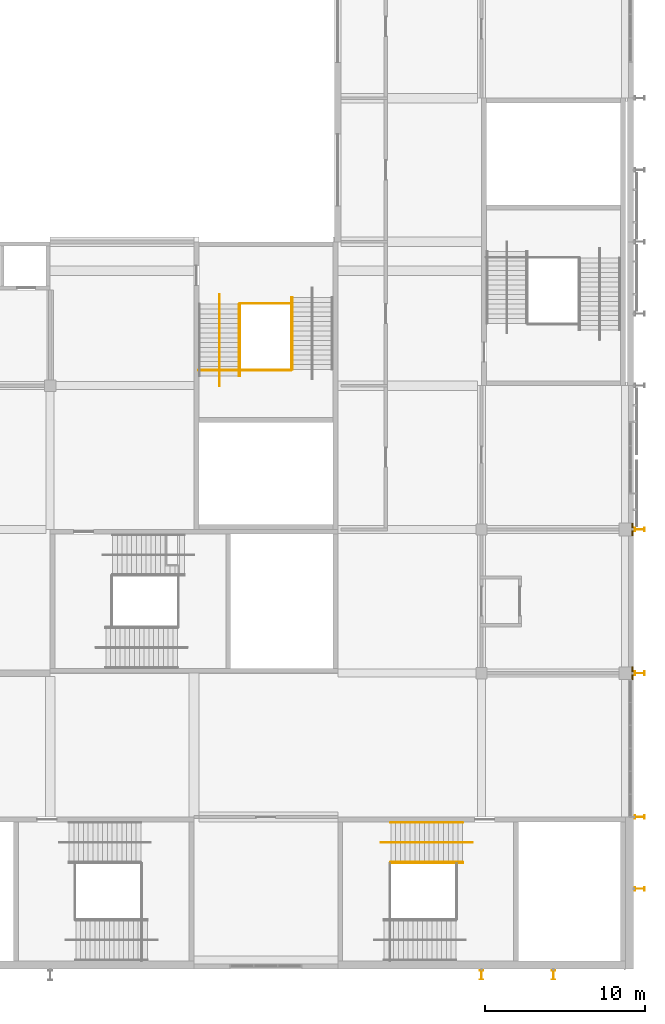
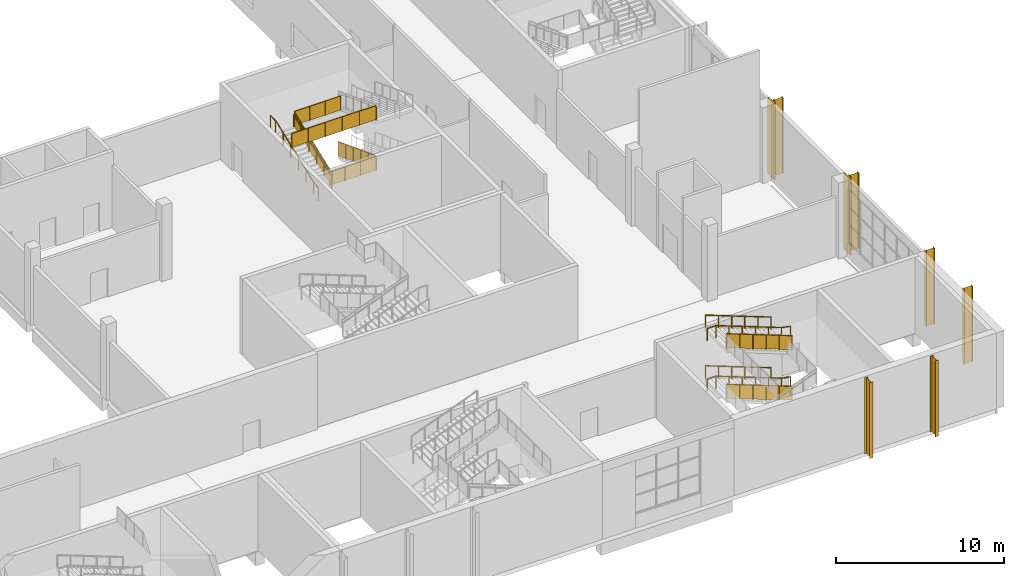
# One storey, part 79 of 84: 16 railings, 6 shading devices, 2 coverings.
"""IFC4 building model written with IfcOpenShell, lengths in metres."""

import ifcopenshell
import ifcopenshell.guid

model = None  # the IFC model being written
_history = None  # IfcOwnerHistory: only IFC2X3 demands one
_inside = {}  # id of a spatial element -> (the spatial element, [elements in it])
_under = {}  # id of a project, library or spatial element -> (it, [spatial elements below it])
_declared = {}  # id of a project -> (the project, [libraries it declares])
_typed = {}  # id of a type object -> (the type object, [elements of that type])
_made_of = {}  # id of a material, layer set ... -> (it, [elements and type objects made of it])


def new_model(schema):
    """Start an empty IFC model of exactly this schema.

    Asked for "IFC4X3", IfcOpenShell would pick the latest addendum, in which some entities
    have other attributes; the version numbers below select the first issue.
    IFC2X3 requires an IfcOwnerHistory on every rooted entity: one is made here for all.
    """
    global model, _history
    if schema == "IFC4X3":
        model = ifcopenshell.file(schema_version=(4, 3, 0, 0))
    else:
        model = ifcopenshell.file(schema=schema)
    _inside.clear()
    _under.clear()
    _declared.clear()
    _typed.clear()
    _made_of.clear()
    _history = None
    if model.schema == "IFC2X3":
        org = make("IfcOrganization", Name="unknown")
        user = make(
            "IfcPersonAndOrganization",
            ThePerson=make("IfcPerson", FamilyName="unknown"),
            TheOrganization=org,
        )
        app = make(
            "IfcApplication",
            ApplicationDeveloper=org,
            Version="unknown",
            ApplicationFullName="unknown",
            ApplicationIdentifier="unknown",
        )
        _history = make(
            "IfcOwnerHistory",
            OwningUser=user,
            OwningApplication=app,
            ChangeAction="ADDED",
            CreationDate=0,
        )
    return model


def make(cls, **values):
    """One entity of the class cls with the attributes given. An attribute that is None is left unset."""
    return model.create_entity(
        cls, **{name: value for name, value in values.items() if value is not None}
    )


def rooted(cls, **values):
    """An entity with a GlobalId (a new one), such as an element, a storey or a relation."""
    return make(cls, GlobalId=ifcopenshell.guid.new(), OwnerHistory=_history, **values)


def si_unit(unit_type, name, prefix=None):
    """IfcSIUnit, for example si_unit("LENGTHUNIT", "METRE", prefix="MILLI")."""
    return make("IfcSIUnit", UnitType=unit_type, Prefix=prefix, Name=name)


def assignment(units):
    """IfcUnitAssignment: the units of a project."""
    return None if units is None else make("IfcUnitAssignment", Units=units)


def point(xyz):
    """IfcCartesianPoint."""
    return None if xyz is None else make("IfcCartesianPoint", Coordinates=xyz)


def direction(xyz):
    """IfcDirection."""
    return None if xyz is None else make("IfcDirection", DirectionRatios=xyz)


def frame(location, z_axis=None, x_axis=None):
    """IfcAxis2Placement3D, a coordinate frame: its origin and axes. An axis left out is left unset."""
    return make(
        "IfcAxis2Placement3D",
        Location=point(location),
        Axis=direction(z_axis),
        RefDirection=direction(x_axis),
    )


def frame_2d(location, x_axis=None):
    """IfcAxis2Placement2D, a coordinate frame in the plane: its origin and x axis."""
    return make(
        "IfcAxis2Placement2D", Location=point(location), RefDirection=direction(x_axis)
    )


def origin():
    """The frame at (0, 0, 0) with its axes left unset."""
    return frame((0.0, 0.0, 0.0))


def origin_2d():
    """The frame at (0, 0) in the plane with its x axis left unset."""
    return frame_2d((0.0, 0.0))


def place(relative_to, where):
    """IfcLocalPlacement: puts the frame where relative to a parent placement (None: the world)."""
    return make(
        "IfcLocalPlacement", PlacementRelTo=relative_to, RelativePlacement=where
    )


def context(
    kind, dimensions, precision=None, world=None, true_north=None, identifier=None
):
    """IfcGeometricRepresentationContext, for example the 3D "Model" context."""
    return make(
        "IfcGeometricRepresentationContext",
        ContextIdentifier=identifier,
        ContextType=kind,
        CoordinateSpaceDimension=dimensions,
        Precision=precision,
        WorldCoordinateSystem=world,
        TrueNorth=true_north,
    )


def subcontext(parent, identifier, kind, view, scale=None):
    """IfcGeometricRepresentationSubContext, for example "Body" below "Model"."""
    return make(
        "IfcGeometricRepresentationSubContext",
        ContextIdentifier=identifier,
        ContextType=kind,
        ParentContext=parent,
        TargetScale=scale,
        TargetView=view,
    )


def project(units=None, contexts=None):
    """IfcProject with its units and contexts."""
    return rooted(
        "IfcProject",
        Name="project",
        RepresentationContexts=contexts,
        UnitsInContext=assignment(units),
    )


def spatial(cls, under=None, at=None, **own):
    """A site, building, storey or space (cls), placed at a placement, below another one or the project."""
    s = rooted(cls, ObjectPlacement=at, **own)
    if under is not None:
        _under.setdefault(under.id(), (under, []))[1].append(s)
    return s


def polyline(points):
    """IfcPolyline through the points."""
    return make("IfcPolyline", Points=[point(p) for p in points])


def profile(cls, at=None, kind="AREA", **sizes):
    """A parametric profile (cls). Its sizes go by their IFC names, for example OverallWidth=200.0."""
    return make(cls, ProfileType=kind, Position=at, **sizes)


def circle(**sizes):
    """IfcCircleProfileDef."""
    return profile("IfcCircleProfileDef", **sizes)


def i_section(**sizes):
    """IfcIShapeProfileDef."""
    return profile("IfcIShapeProfileDef", **sizes)


def outline(outer, holes=None, kind="AREA"):
    """IfcArbitraryClosedProfileDef: a profile drawn as a closed curve; with holes, ...WithVoids."""
    if holes is None:
        return make("IfcArbitraryClosedProfileDef", ProfileType=kind, OuterCurve=outer)
    return make(
        "IfcArbitraryProfileDefWithVoids",
        ProfileType=kind,
        OuterCurve=outer,
        InnerCurves=holes,
    )


def extrude(swept, where, along, depth):
    """IfcExtrudedAreaSolid: the profile swept, set in the frame where, extruded along a direction by depth."""
    return make(
        "IfcExtrudedAreaSolid",
        SweptArea=swept,
        Position=where,
        ExtrudedDirection=direction(along),
        Depth=depth,
    )


def shape(context_of_items, identifier, shape_type, items):
    """IfcShapeRepresentation: the items that make up one representation, for example the "Body"."""
    return make(
        "IfcShapeRepresentation",
        ContextOfItems=context_of_items,
        RepresentationIdentifier=identifier,
        RepresentationType=shape_type,
        Items=items,
    )


def material(Name=None, Category=None):
    """IfcMaterial."""
    return make("IfcMaterial", Name=Name, Category=Category)


def layer(
    of_material, thickness, ventilated=None, Name=None, Category=None, Priority=None
):
    """IfcMaterialLayer: one layer of a wall or slab, of a material (None: an air gap)."""
    return make(
        "IfcMaterialLayer",
        Material=of_material,
        LayerThickness=thickness,
        IsVentilated=ventilated,
        Name=Name,
        Category=Category,
        Priority=Priority,
    )


def layer_set(layers, Name=None):
    """IfcMaterialLayerSet."""
    return make("IfcMaterialLayerSet", MaterialLayers=layers, LayerSetName=Name)


def material_profile(
    of_material, cross_section, Name=None, Category=None, Priority=None
):
    """IfcMaterialProfile: a cross section and its material."""
    return make(
        "IfcMaterialProfile",
        Name=Name,
        Material=of_material,
        Profile=cross_section,
        Priority=Priority,
        Category=Category,
    )


def profile_set(profiles, Name=None, composite=None):
    """IfcMaterialProfileSet."""
    return make(
        "IfcMaterialProfileSet",
        Name=Name,
        MaterialProfiles=profiles,
        CompositeProfile=composite,
    )


def made_of(thing, what):
    """Note that an element or type object is made of a material, layer set ...; save() writes the relation."""
    if what is not None:
        _made_of.setdefault(what.id(), (what, []))[1].append(thing)
    return thing


def type_object(cls, material=None, **own):
    """A type object (cls), such as IfcWallType, which elements share."""
    return made_of(rooted(cls, **own), material)


def element(
    cls,
    number,
    at=None,
    inside=None,
    cuts=None,
    type_object=None,
    material=None,
    context=None,
    identifier="Body",
    shape_type=None,
    held_by="IfcProductDefinitionShape",
    body=None,
    shapes=None,
    **own,
):
    """One element of the class cls, such as IfcWall. Its Tag is "e" and its number.

    at: its placement. inside: the storey or other place that contains it. cuts: it is an
    opening in that element (IfcRelVoidsElement). A single representation is given by context,
    identifier, shape_type and body (its items); several are given by shapes. held_by: the class
    of the entity that holds the representations. save() writes the other relations.
    """
    e = rooted(cls, Tag="e%d" % number, ObjectPlacement=at, **own)
    if body is not None:
        shapes = [shape(context, identifier, shape_type, body)]
    if shapes is not None:
        e.Representation = make(held_by, Representations=shapes)
    if inside is not None:
        _inside.setdefault(inside.id(), (inside, []))[1].append(e)
    if cuts is not None:
        rooted(
            "IfcRelVoidsElement", RelatingBuildingElement=cuts, RelatedOpeningElement=e
        )
    if type_object is not None:
        _typed.setdefault(type_object.id(), (type_object, []))[1].append(e)
    return made_of(e, material)


def aggregate(whole, parts):
    """IfcRelAggregates: a whole, such as a stair, and the parts it consists of."""
    return rooted("IfcRelAggregates", RelatingObject=whole, RelatedObjects=parts)


def save(model, path):
    """Write the relations noted so far, then the file.

    IfcRelAggregates (storeys below a building ...), IfcRelContainedInSpatialStructure (elements
    in a storey), IfcRelDefinesByType, IfcRelAssociatesMaterial and IfcRelDeclares: one each for
    every whole, place, type object, material and project.
    """
    for whole, parts in _under.values():
        aggregate(whole, parts)
    for where, things in _inside.values():
        rooted(
            "IfcRelContainedInSpatialStructure",
            RelatedElements=things,
            RelatingStructure=where,
        )
    for kind, things in _typed.values():
        rooted("IfcRelDefinesByType", RelatedObjects=things, RelatingType=kind)
    for what, things in _made_of.values():
        rooted("IfcRelAssociatesMaterial", RelatedObjects=things, RelatingMaterial=what)
    for by, libraries in _declared.values():
        rooted("IfcRelDeclares", RelatingContext=by, RelatedDefinitions=libraries)
    model.write(path)


model = new_model("IFC4")

# Units and contexts
model_context = context("Model", 3, precision=1e-05, world=origin(), true_north=direction((0.0, 1.0)))
body_context = subcontext(model_context, "Body", "Model", "MODEL_VIEW")
ifc_project = project(units=[si_unit("LENGTHUNIT", "METRE"), si_unit("AREAUNIT", "SQUARE_METRE"), si_unit("VOLUMEUNIT", "CUBIC_METRE"), si_unit("PLANEANGLEUNIT", "RADIAN"), si_unit("MASSUNIT", "GRAM", prefix="KILO")], contexts=[model_context])

# Site, building, storey
site_placement = place(None, origin())
site = spatial("IfcSite", under=ifc_project, at=site_placement, CompositionType="ELEMENT")
building_placement = place(site_placement, origin())
building = spatial("IfcBuilding", under=site, at=building_placement, Name="Silverbay Arena", CompositionType="ELEMENT")
storey_placement = place(building_placement, frame((0.0, 0.0, 28.0)))
storey = spatial("IfcBuildingStorey", under=building, at=storey_placement, Name="L04", CompositionType="ELEMENT", Elevation=28.0)

# Coverings
ifc_material_1 = material(Name="Aluminium composite cladding", Category="aluminium")
ifc_layer = layer(ifc_material_1, 0.10009765625)
ifc_layer_set = layer_set([ifc_layer], Name="Aluminium composite cladding")
covering_type = type_object("IfcCoveringType", Name="Column cladding 100", PredefinedType="CLADDING", material=ifc_layer_set)
covering_1_placement = place(storey_placement, origin())
element("IfcCovering", 1, at=covering_1_placement, inside=storey, type_object=covering_type, Name="East column cladding L04 6", PredefinedType="CLADDING", context=body_context, shape_type="SweptSolid", body=[
    extrude(outline(polyline([(207.39990234375, 35.60009765625), (207.5, 35.60009765625), (207.5, 36.39990234375), (207.39990234375, 36.39990234375), (207.39990234375, 35.60009765625)])), origin(), (0.0, 0.0, 1.0), 5.5),
])
covering_2_placement = place(storey_placement, origin())
element("IfcCovering", 2, at=covering_2_placement, inside=storey, type_object=covering_type, Name="East column cladding L04 8", PredefinedType="CLADDING", context=body_context, shape_type="SweptSolid", body=[
    extrude(outline(polyline([(207.39990234375, 44.60009765625), (207.5, 44.60009765625), (207.5, 45.39990234375), (207.39990234375, 45.39990234375), (207.39990234375, 44.60009765625)])), origin(), (0.0, 0.0, 1.0), 5.5),
])

# Railings
ifc_material_2 = material(Name="Stainless steel", Category="steel")
railing_type_1 = type_object("IfcRailingType", Name="Stair guard 1100", PredefinedType="GUARDRAIL", material=ifc_material_2)
railing_1_placement = place(storey_placement, frame((196.8203125, 24.125, 0.114501953125)))
element("IfcRailing", 3, at=railing_1_placement, inside=storey, type_object=railing_type_1, Name="Stair ST-S6 L04 to L05 flight 1 guard right", PredefinedType="GUARDRAIL", context=body_context, shape_type="SweptSolid", body=[
    extrude(circle(Radius=0.02392578125, at=origin_2d()), frame((0.0, 0.0, 1.076171875), z_axis=(-0.93417907455, 0.0, 0.356804507641), x_axis=(0.0, -1.0, 0.0)), (0.0, 0.0, 1.0), 4.817138671875),
    extrude(outline(polyline([(-0.008056640625, 0.046875), (0.907958984375, 0.396728515625), (0.907958984375, 1.39990234375), (-0.008056640625, 1.050048828125), (-0.008056640625, 0.046875)])), frame((0.0, -0.0029296875, 0.0), z_axis=(0.0, 1.0, 0.0), x_axis=(-1.0, 0.0, 0.0)), (0.0, 0.0, 1.0), 0.006103515625),
    extrude(outline(polyline([(-0.008056640625, 0.390625), (0.907958984375, 0.740478515625), (0.907958984375, 1.74365234375), (-0.008056640625, 1.393798828125), (-0.008056640625, 0.390625)])), frame((-0.89990234375, -0.0029296875, 0.0), z_axis=(0.0, 1.0, 0.0), x_axis=(-1.0, 0.0, 0.0)), (0.0, 0.0, 1.0), 0.006103515625),
    extrude(outline(polyline([(-0.008056640625, 0.734375), (0.907958984375, 1.084228515625), (0.907958984375, 2.08740234375), (-0.008056640625, 1.737548828125), (-0.008056640625, 0.734375)])), frame((-1.800048828125, -0.0029296875, 0.0), z_axis=(0.0, 1.0, 0.0), x_axis=(-1.0, 0.0, 0.0)), (0.0, 0.0, 1.0), 0.006103515625),
    extrude(outline(polyline([(-0.008056640625, 1.078125), (0.907958984375, 1.427978515625), (0.907958984375, 2.43115234375), (-0.008056640625, 2.081298828125), (-0.008056640625, 1.078125)])), frame((-2.699951171875, -0.0029296875, 0.0), z_axis=(0.0, 1.0, 0.0), x_axis=(-1.0, 0.0, 0.0)), (0.0, 0.0, 1.0), 0.006103515625),
    extrude(outline(polyline([(-0.008056640625, 1.421875), (0.907958984375, 1.771728515625), (0.907958984375, 2.77490234375), (-0.008056640625, 2.425048828125), (-0.008056640625, 1.421875)])), frame((-3.60009765625, -0.0029296875, 0.0), z_axis=(0.0, 1.0, 0.0), x_axis=(-1.0, 0.0, 0.0)), (0.0, 0.0, 1.0), 0.006103515625),
    extrude(circle(Radius=0.02099609375, at=origin_2d()), origin(), (0.0, 0.0, 1.0), 1.052001953125),
    extrude(circle(Radius=0.02099609375, at=origin_2d()), frame((-0.89990234375, 0.0, 0.34375)), (0.0, 0.0, 1.0), 1.052001953125),
    extrude(circle(Radius=0.02099609375, at=origin_2d()), frame((-1.800048828125, 0.0, 0.6875)), (0.0, 0.0, 1.0), 1.052001953125),
    extrude(circle(Radius=0.02099609375, at=origin_2d()), frame((-2.699951171875, 0.0, 1.03125)), (0.0, 0.0, 1.0), 1.052001953125),
    extrude(circle(Radius=0.02099609375, at=origin_2d()), frame((-3.60009765625, 0.0, 1.375)), (0.0, 0.0, 1.0), 1.052001953125),
    extrude(circle(Radius=0.02099609375, at=origin_2d()), frame((-4.5, 0.0, 1.71875)), (0.0, 0.0, 1.0), 1.052001953125),
])
railing_2_placement = place(storey_placement, frame((196.8203125, 24.125, 3.78125)))
element("IfcRailing", 4, at=railing_2_placement, inside=storey, type_object=railing_type_1, Name="Stair ST-S6 L04 to L05 flight 3 guard right", PredefinedType="GUARDRAIL", context=body_context, shape_type="SweptSolid", body=[
    extrude(circle(Radius=0.02392578125, at=origin_2d()), frame((0.0, 0.0, 1.076171875), z_axis=(-0.93417907455, 0.0, 0.356804507641), x_axis=(0.0, -1.0, 0.0)), (0.0, 0.0, 1.0), 4.817138671875),
    extrude(outline(polyline([(-0.008056640625, 0.046875), (0.907958984375, 0.396728515625), (0.907958984375, 1.39990234375), (-0.008056640625, 1.050048828125), (-0.008056640625, 0.046875)])), frame((0.0, -0.0029296875, 0.0), z_axis=(0.0, 1.0, 0.0), x_axis=(-1.0, 0.0, 0.0)), (0.0, 0.0, 1.0), 0.006103515625),
    extrude(outline(polyline([(-0.008056640625, 0.390625), (0.907958984375, 0.740478515625), (0.907958984375, 1.74365234375), (-0.008056640625, 1.393798828125), (-0.008056640625, 0.390625)])), frame((-0.89990234375, -0.0029296875, 0.0), z_axis=(0.0, 1.0, 0.0), x_axis=(-1.0, 0.0, 0.0)), (0.0, 0.0, 1.0), 0.006103515625),
    extrude(outline(polyline([(-0.008056640625, 0.734375), (0.907958984375, 1.084228515625), (0.907958984375, 2.08740234375), (-0.008056640625, 1.737548828125), (-0.008056640625, 0.734375)])), frame((-1.800048828125, -0.0029296875, 0.0), z_axis=(0.0, 1.0, 0.0), x_axis=(-1.0, 0.0, 0.0)), (0.0, 0.0, 1.0), 0.006103515625),
    extrude(outline(polyline([(-0.008056640625, 1.078125), (0.907958984375, 1.427978515625), (0.907958984375, 2.43115234375), (-0.008056640625, 2.081298828125), (-0.008056640625, 1.078125)])), frame((-2.699951171875, -0.0029296875, 0.0), z_axis=(0.0, 1.0, 0.0), x_axis=(-1.0, 0.0, 0.0)), (0.0, 0.0, 1.0), 0.006103515625),
    extrude(outline(polyline([(-0.008056640625, 1.421875), (0.907958984375, 1.771728515625), (0.907958984375, 2.77490234375), (-0.008056640625, 2.425048828125), (-0.008056640625, 1.421875)])), frame((-3.60009765625, -0.0029296875, 0.0), z_axis=(0.0, 1.0, 0.0), x_axis=(-1.0, 0.0, 0.0)), (0.0, 0.0, 1.0), 0.006103515625),
    extrude(circle(Radius=0.02099609375, at=origin_2d()), origin(), (0.0, 0.0, 1.0), 1.052001953125),
    extrude(circle(Radius=0.02099609375, at=origin_2d()), frame((-0.89990234375, 0.0, 0.34375)), (0.0, 0.0, 1.0), 1.052001953125),
    extrude(circle(Radius=0.02099609375, at=origin_2d()), frame((-1.800048828125, 0.0, 0.6875)), (0.0, 0.0, 1.0), 1.052001953125),
    extrude(circle(Radius=0.02099609375, at=origin_2d()), frame((-2.699951171875, 0.0, 1.03125)), (0.0, 0.0, 1.0), 1.052001953125),
    extrude(circle(Radius=0.02099609375, at=origin_2d()), frame((-3.60009765625, 0.0, 1.375)), (0.0, 0.0, 1.0), 1.052001953125),
    extrude(circle(Radius=0.02099609375, at=origin_2d()), frame((-4.5, 0.0, 1.71875)), (0.0, 0.0, 1.0), 1.052001953125),
])
railing_3_placement = place(storey_placement, frame((186.125, 59.5205078125, 0.114501953125)))
element("IfcRailing", 5, at=railing_3_placement, inside=storey, type_object=railing_type_1, Name="Stair ST-SE2 L04 to L05 flight 1 guard left", PredefinedType="GUARDRAIL", context=body_context, shape_type="SweptSolid", body=[
    extrude(circle(Radius=0.02392578125, at=origin_2d()), frame((0.0, 0.0, 1.076171875), z_axis=(0.0, -0.93417907455, 0.356804507641), x_axis=(1.0, 0.0, 0.0)), (0.0, 0.0, 1.0), 4.817138671875),
    extrude(outline(polyline([(-0.008056640625, 0.046875), (0.907958984375, 0.396728515625), (0.907958984375, 1.39990234375), (-0.008056640625, 1.050048828125), (-0.008056640625, 0.046875)])), frame((0.0029296875, 0.0, 0.0), z_axis=(-1.0, 0.0, 0.0), x_axis=(0.0, -1.0, 0.0)), (0.0, 0.0, 1.0), 0.006103515625),
    extrude(outline(polyline([(-0.008056640625, 0.390625), (0.907958984375, 0.740478515625), (0.907958984375, 1.74365234375), (-0.008056640625, 1.393798828125), (-0.008056640625, 0.390625)])), frame((0.0029296875, -0.89990234375, 0.0), z_axis=(-1.0, 0.0, 0.0), x_axis=(0.0, -1.0, 0.0)), (0.0, 0.0, 1.0), 0.006103515625),
    extrude(outline(polyline([(-0.008056640625, 0.734375), (0.907958984375, 1.084228515625), (0.907958984375, 2.08740234375), (-0.008056640625, 1.737548828125), (-0.008056640625, 0.734375)])), frame((0.0029296875, -1.800048828125, 0.0), z_axis=(-1.0, 0.0, 0.0), x_axis=(0.0, -1.0, 0.0)), (0.0, 0.0, 1.0), 0.006103515625),
    extrude(outline(polyline([(-0.008056640625, 1.078125), (0.907958984375, 1.427978515625), (0.907958984375, 2.43115234375), (-0.008056640625, 2.081298828125), (-0.008056640625, 1.078125)])), frame((0.0029296875, -2.699951171875, 0.0), z_axis=(-1.0, 0.0, 0.0), x_axis=(0.0, -1.0, 0.0)), (0.0, 0.0, 1.0), 0.006103515625),
    extrude(outline(polyline([(-0.008056640625, 1.421875), (0.907958984375, 1.771728515625), (0.907958984375, 2.77490234375), (-0.008056640625, 2.425048828125), (-0.008056640625, 1.421875)])), frame((0.0029296875, -3.60009765625, 0.0), z_axis=(-1.0, 0.0, 0.0), x_axis=(0.0, -1.0, 0.0)), (0.0, 0.0, 1.0), 0.006103515625),
    extrude(circle(Radius=0.02099609375, at=origin_2d()), origin(), (0.0, 0.0, 1.0), 1.052001953125),
    extrude(circle(Radius=0.02099609375, at=origin_2d()), frame((0.0, -0.89990234375, 0.34375)), (0.0, 0.0, 1.0), 1.052001953125),
    extrude(circle(Radius=0.02099609375, at=origin_2d()), frame((0.0, -1.800048828125, 0.6875)), (0.0, 0.0, 1.0), 1.052001953125),
    extrude(circle(Radius=0.02099609375, at=origin_2d()), frame((0.0, -2.699951171875, 1.03125)), (0.0, 0.0, 1.0), 1.052001953125),
    extrude(circle(Radius=0.02099609375, at=origin_2d()), frame((0.0, -3.60009765625, 1.375)), (0.0, 0.0, 1.0), 1.052001953125),
    extrude(circle(Radius=0.02099609375, at=origin_2d()), frame((0.0, -4.5, 1.71875)), (0.0, 0.0, 1.0), 1.052001953125),
])
railing_4_placement = place(storey_placement, frame((182.875, 54.60009765625, 1.947998046875)))
element("IfcRailing", 6, at=railing_4_placement, inside=storey, type_object=railing_type_1, Name="Stair ST-SE2 L04 to L05 flight 2 guard right", PredefinedType="GUARDRAIL", context=body_context, shape_type="SweptSolid", body=[
    extrude(circle(Radius=0.02392578125, at=origin_2d()), frame((0.0, 0.0, 1.076171875), z_axis=(0.0, 0.93417907455, 0.356804507641), x_axis=(-1.0, 0.0, 0.0)), (0.0, 0.0, 1.0), 4.817138671875),
    extrude(outline(polyline([(-0.008056640625, 0.046875), (0.907958984375, 0.396728515625), (0.907958984375, 1.39990234375), (-0.008056640625, 1.050048828125), (-0.008056640625, 0.046875)])), frame((-0.0029296875, 0.0, 0.0), z_axis=(1.0, 0.0, 0.0), x_axis=(0.0, 1.0, 0.0)), (0.0, 0.0, 1.0), 0.006103515625),
    extrude(outline(polyline([(-0.008056640625, 0.390625), (0.907958984375, 0.740478515625), (0.907958984375, 1.74365234375), (-0.008056640625, 1.393798828125), (-0.008056640625, 0.390625)])), frame((-0.0029296875, 0.89990234375, 0.0), z_axis=(1.0, 0.0, 0.0), x_axis=(0.0, 1.0, 0.0)), (0.0, 0.0, 1.0), 0.006103515625),
    extrude(outline(polyline([(-0.008056640625, 0.734375), (0.907958984375, 1.084228515625), (0.907958984375, 2.08740234375), (-0.008056640625, 1.737548828125), (-0.008056640625, 0.734375)])), frame((-0.0029296875, 1.800048828125, 0.0), z_axis=(1.0, 0.0, 0.0), x_axis=(0.0, 1.0, 0.0)), (0.0, 0.0, 1.0), 0.006103515625),
    extrude(outline(polyline([(-0.008056640625, 1.078125), (0.907958984375, 1.427978515625), (0.907958984375, 2.43115234375), (-0.008056640625, 2.081298828125), (-0.008056640625, 1.078125)])), frame((-0.0029296875, 2.699951171875, 0.0), z_axis=(1.0, 0.0, 0.0), x_axis=(0.0, 1.0, 0.0)), (0.0, 0.0, 1.0), 0.006103515625),
    extrude(outline(polyline([(-0.008056640625, 1.421875), (0.907958984375, 1.771728515625), (0.907958984375, 2.77490234375), (-0.008056640625, 2.425048828125), (-0.008056640625, 1.421875)])), frame((-0.0029296875, 3.60009765625, 0.0), z_axis=(1.0, 0.0, 0.0), x_axis=(0.0, 1.0, 0.0)), (0.0, 0.0, 1.0), 0.006103515625),
    extrude(circle(Radius=0.02099609375, at=origin_2d()), origin(), (0.0, 0.0, 1.0), 1.052001953125),
    extrude(circle(Radius=0.02099609375, at=origin_2d()), frame((0.0, 0.89990234375, 0.34375)), (0.0, 0.0, 1.0), 1.052001953125),
    extrude(circle(Radius=0.02099609375, at=origin_2d()), frame((0.0, 1.800048828125, 0.6875)), (0.0, 0.0, 1.0), 1.052001953125),
    extrude(circle(Radius=0.02099609375, at=origin_2d()), frame((0.0, 2.699951171875, 1.03125)), (0.0, 0.0, 1.0), 1.052001953125),
    extrude(circle(Radius=0.02099609375, at=origin_2d()), frame((0.0, 3.60009765625, 1.375)), (0.0, 0.0, 1.0), 1.052001953125),
    extrude(circle(Radius=0.02099609375, at=origin_2d()), frame((0.0, 4.5, 1.71875)), (0.0, 0.0, 1.0), 1.052001953125),
])
for number, where, name in (
    (7, (182.89990234375, 54.970458984375, 1.833251953125), "Stair ST-SE2 L04 to L05 landing 1 guard"),
    (8, (182.89990234375, 59.14990234375, 3.666748046875), "Stair ST-SE2 L04 to L05 landing 2 guard"),
):
    element("IfcRailing", number, at=place(storey_placement, frame(where)), inside=storey, type_object=railing_type_1, Name=name, PredefinedType="GUARDRAIL", context=body_context, shape_type="SweptSolid", body=[
        extrude(circle(Radius=0.02392578125, at=origin_2d()), frame((0.0, 0.0, 1.076171875), z_axis=(1.0, 0.0, 0.0), x_axis=(0.0, 1.0, 0.0)), (0.0, 0.0, 1.0), 3.2001953125),
        extrude(outline(polyline([(-0.008056640625, 0.050048828125), (1.07470703125, 0.050048828125), (1.07470703125, 1.052978515625), (-0.008056640625, 1.052978515625), (-0.008056640625, 0.050048828125)])), frame((0.0, 0.0029296875, 0.0), z_axis=(0.0, -1.0, 0.0), x_axis=(1.0, 0.0, 0.0)), (0.0, 0.0, 1.0), 0.006103515625),
        extrude(outline(polyline([(-0.008056640625, 0.050048828125), (1.07470703125, 0.050048828125), (1.07470703125, 1.052978515625), (-0.008056640625, 1.052978515625), (-0.008056640625, 0.050048828125)])), frame((1.066650390625, 0.0029296875, 0.0), z_axis=(0.0, -1.0, 0.0), x_axis=(1.0, 0.0, 0.0)), (0.0, 0.0, 1.0), 0.006103515625),
        extrude(outline(polyline([(-0.008056640625, 0.050048828125), (1.07470703125, 0.050048828125), (1.07470703125, 1.052978515625), (-0.008056640625, 1.052978515625), (-0.008056640625, 0.050048828125)])), frame((2.133544921875, 0.0029296875, 0.0), z_axis=(0.0, -1.0, 0.0), x_axis=(1.0, 0.0, 0.0)), (0.0, 0.0, 1.0), 0.006103515625),
        extrude(circle(Radius=0.02099609375, at=origin_2d()), origin(), (0.0, 0.0, 1.0), 1.052001953125),
        extrude(circle(Radius=0.02099609375, at=origin_2d()), frame((1.066650390625, 0.0, 0.0)), (0.0, 0.0, 1.0), 1.052001953125),
        extrude(circle(Radius=0.02099609375, at=origin_2d()), frame((2.133544921875, 0.0, 0.0)), (0.0, 0.0, 1.0), 1.052001953125),
        extrude(circle(Radius=0.02099609375, at=origin_2d()), frame((3.2001953125, 0.0, 0.0)), (0.0, 0.0, 1.0), 1.052001953125),
    ])
railing_5_placement = place(storey_placement, frame((186.10009765625, 54.970458984375, 5.5)))
element("IfcRailing", 9, at=railing_5_placement, inside=storey, type_object=railing_type_1, Name="Stair ST-SE2 L04 to L05 landing 3 guard", PredefinedType="GUARDRAIL", context=body_context, shape_type="SweptSolid", body=[
    extrude(circle(Radius=0.02392578125, at=origin_2d()), frame((0.0, 0.0, 1.076171875), z_axis=(-1.0, 0.0, 0.0), x_axis=(0.0, -1.0, 0.0)), (0.0, 0.0, 1.0), 5.800048828125),
    extrude(outline(polyline([(-0.008056640625, 0.050048828125), (1.16796875, 0.050048828125), (1.16796875, 1.052978515625), (-0.008056640625, 1.052978515625), (-0.008056640625, 0.050048828125)])), frame((0.0, -0.0029296875, 0.0), z_axis=(0.0, 1.0, 0.0), x_axis=(-1.0, 0.0, 0.0)), (0.0, 0.0, 1.0), 0.006103515625),
    extrude(outline(polyline([(-0.008056640625, 0.050048828125), (1.16796875, 0.050048828125), (1.16796875, 1.052978515625), (-0.008056640625, 1.052978515625), (-0.008056640625, 0.050048828125)])), frame((-1.159912109375, -0.0029296875, 0.0), z_axis=(0.0, 1.0, 0.0), x_axis=(-1.0, 0.0, 0.0)), (0.0, 0.0, 1.0), 0.006103515625),
    extrude(outline(polyline([(-0.008056640625, 0.050048828125), (1.16796875, 0.050048828125), (1.16796875, 1.052978515625), (-0.008056640625, 1.052978515625), (-0.008056640625, 0.050048828125)])), frame((-2.320068359375, -0.0029296875, 0.0), z_axis=(0.0, 1.0, 0.0), x_axis=(-1.0, 0.0, 0.0)), (0.0, 0.0, 1.0), 0.006103515625),
    extrude(outline(polyline([(-0.008056640625, 0.050048828125), (1.16796875, 0.050048828125), (1.16796875, 1.052978515625), (-0.008056640625, 1.052978515625), (-0.008056640625, 0.050048828125)])), frame((-3.47998046875, -0.0029296875, 0.0), z_axis=(0.0, 1.0, 0.0), x_axis=(-1.0, 0.0, 0.0)), (0.0, 0.0, 1.0), 0.006103515625),
    extrude(outline(polyline([(-0.008056640625, 0.050048828125), (1.16796875, 0.050048828125), (1.16796875, 1.052978515625), (-0.008056640625, 1.052978515625), (-0.008056640625, 0.050048828125)])), frame((-4.64013671875, -0.0029296875, 0.0), z_axis=(0.0, 1.0, 0.0), x_axis=(-1.0, 0.0, 0.0)), (0.0, 0.0, 1.0), 0.006103515625),
    extrude(circle(Radius=0.02099609375, at=origin_2d()), origin(), (0.0, 0.0, 1.0), 1.052001953125),
    extrude(circle(Radius=0.02099609375, at=origin_2d()), frame((-1.159912109375, 0.0, 0.0)), (0.0, 0.0, 1.0), 1.052001953125),
    extrude(circle(Radius=0.02099609375, at=origin_2d()), frame((-2.320068359375, 0.0, 0.0)), (0.0, 0.0, 1.0), 1.052001953125),
    extrude(circle(Radius=0.02099609375, at=origin_2d()), frame((-3.47998046875, 0.0, 0.0)), (0.0, 0.0, 1.0), 1.052001953125),
    extrude(circle(Radius=0.02099609375, at=origin_2d()), frame((-4.64013671875, 0.0, 0.0)), (0.0, 0.0, 1.0), 1.052001953125),
    extrude(circle(Radius=0.02099609375, at=origin_2d()), frame((-5.800048828125, 0.0, 0.0)), (0.0, 0.0, 1.0), 1.052001953125),
])
ifc_material_3 = material(Name="Stainless steel", Category="steel")
railing_type_2 = type_object("IfcRailingType", Name="Stair handrail 900", PredefinedType="HANDRAIL", material=ifc_material_3)
railing_6_placement = place(storey_placement, frame((196.8203125, 26.64990234375, 0.114501953125)))
element("IfcRailing", 10, at=railing_6_placement, inside=storey, type_object=railing_type_2, Name="Stair ST-S6 L04 to L05 flight 1 handrail left", PredefinedType="HANDRAIL", context=body_context, shape_type="SweptSolid", body=[
    extrude(circle(Radius=0.02392578125, at=origin_2d()), frame((0.0, 0.0, 0.8759765625), z_axis=(-0.93417907455, 0.0, 0.356804507641), x_axis=(0.0, -1.0, 0.0)), (0.0, 0.0, 1.0), 4.817138671875),
    extrude(circle(Radius=0.02099609375, at=origin_2d()), origin(), (0.0, 0.0, 1.0), 0.851806640625),
    extrude(circle(Radius=0.02099609375, at=origin_2d()), frame((-0.89990234375, 0.0, 0.34375)), (0.0, 0.0, 1.0), 0.851806640625),
    extrude(circle(Radius=0.02099609375, at=origin_2d()), frame((-1.800048828125, 0.0, 0.6875)), (0.0, 0.0, 1.0), 0.851806640625),
    extrude(circle(Radius=0.02099609375, at=origin_2d()), frame((-2.699951171875, 0.0, 1.03125)), (0.0, 0.0, 1.0), 0.851806640625),
    extrude(circle(Radius=0.02099609375, at=origin_2d()), frame((-3.60009765625, 0.0, 1.375)), (0.0, 0.0, 1.0), 0.851806640625),
    extrude(circle(Radius=0.02099609375, at=origin_2d()), frame((-4.5, 0.0, 1.71875)), (0.0, 0.0, 1.0), 0.851806640625),
])
railing_7_placement = place(storey_placement, frame((197.42041015625, 25.39990234375, 0.0)))
element("IfcRailing", 11, at=railing_7_placement, inside=storey, type_object=railing_type_2, Name="Stair ST-S6 L04 to L05 flight 1 central handrail", PredefinedType="HANDRAIL", context=body_context, shape_type="SweptSolid", body=[
    extrude(circle(Radius=0.02392578125, at=origin_2d()), frame((0.0, 0.0, 0.8759765625), z_axis=(-0.982279053969, 0.0, 0.187424278402), x_axis=(0.0, -1.0, 0.0)), (0.0, 0.0, 1.0), 0.61083984375),
    extrude(circle(Radius=0.02392578125, at=origin_2d()), frame((-0.60009765625, 0.0, 0.990234375), z_axis=(-0.93417907455, 0.0, 0.356804507641), x_axis=(0.0, -1.0, 0.0)), (0.0, 0.0, 1.0), 4.817138671875),
    extrude(circle(Radius=0.02392578125, at=origin_2d()), frame((-5.10009765625, 0.0, 2.708984375), z_axis=(-1.0, 0.0, 0.0), x_axis=(0.0, -1.0, 0.0)), (0.0, 0.0, 1.0), 0.599853515625),
    extrude(circle(Radius=0.02099609375, at=origin_2d()), origin(), (0.0, 0.0, 1.0), 0.851806640625),
    extrude(circle(Radius=0.02099609375, at=origin_2d()), frame((-0.60009765625, 0.0, 0.114501953125)), (0.0, 0.0, 1.0), 0.851806640625),
    extrude(circle(Radius=0.02099609375, at=origin_2d()), frame((-1.5, 0.0, 0.458251953125)), (0.0, 0.0, 1.0), 0.851806640625),
    extrude(circle(Radius=0.02099609375, at=origin_2d()), frame((-2.400146484375, 0.0, 0.802001953125)), (0.0, 0.0, 1.0), 0.851806640625),
    extrude(circle(Radius=0.02099609375, at=origin_2d()), frame((-3.300048828125, 0.0, 1.145751953125)), (0.0, 0.0, 1.0), 0.851806640625),
    extrude(circle(Radius=0.02099609375, at=origin_2d()), frame((-4.2001953125, 0.0, 1.489501953125)), (0.0, 0.0, 1.0), 0.851806640625),
    extrude(circle(Radius=0.02099609375, at=origin_2d()), frame((-5.10009765625, 0.0, 1.833251953125)), (0.0, 0.0, 1.0), 0.851806640625),
    extrude(circle(Radius=0.02099609375, at=origin_2d()), frame((-5.699951171875, 0.0, 1.833251953125)), (0.0, 0.0, 1.0), 0.851806640625),
])
for number, where, name in (
    (12, (196.8203125, 26.64990234375, 3.78125), "Stair ST-S6 L04 to L05 flight 3 handrail left"),
    (13, (196.8203125, 24.1640625, 3.78125), "Stair ST-S6 L04 to L05 flight 3 handrail right"),
):
    element("IfcRailing", number, at=place(storey_placement, frame(where)), inside=storey, type_object=railing_type_2, Name=name, PredefinedType="HANDRAIL", context=body_context, shape_type="SweptSolid", body=[
        extrude(circle(Radius=0.02392578125, at=origin_2d()), frame((0.0, 0.0, 0.8759765625), z_axis=(-0.93417907455, 0.0, 0.356804507641), x_axis=(0.0, -1.0, 0.0)), (0.0, 0.0, 1.0), 4.817138671875),
        extrude(circle(Radius=0.02099609375, at=origin_2d()), origin(), (0.0, 0.0, 1.0), 0.851806640625),
        extrude(circle(Radius=0.02099609375, at=origin_2d()), frame((-0.89990234375, 0.0, 0.34375)), (0.0, 0.0, 1.0), 0.851806640625),
        extrude(circle(Radius=0.02099609375, at=origin_2d()), frame((-1.800048828125, 0.0, 0.6875)), (0.0, 0.0, 1.0), 0.851806640625),
        extrude(circle(Radius=0.02099609375, at=origin_2d()), frame((-2.699951171875, 0.0, 1.03125)), (0.0, 0.0, 1.0), 0.851806640625),
        extrude(circle(Radius=0.02099609375, at=origin_2d()), frame((-3.60009765625, 0.0, 1.375)), (0.0, 0.0, 1.0), 0.851806640625),
        extrude(circle(Radius=0.02099609375, at=origin_2d()), frame((-4.5, 0.0, 1.71875)), (0.0, 0.0, 1.0), 0.851806640625),
    ])
railing_8_placement = place(storey_placement, frame((197.42041015625, 25.39990234375, 3.666748046875)))
element("IfcRailing", 14, at=railing_8_placement, inside=storey, type_object=railing_type_2, Name="Stair ST-S6 L04 to L05 flight 3 central handrail", PredefinedType="HANDRAIL", context=body_context, shape_type="SweptSolid", body=[
    extrude(circle(Radius=0.02392578125, at=origin_2d()), frame((0.0, 0.0, 0.8759765625), z_axis=(-0.982279053969, 0.0, 0.187424278402), x_axis=(0.0, -1.0, 0.0)), (0.0, 0.0, 1.0), 0.61083984375),
    extrude(circle(Radius=0.02392578125, at=origin_2d()), frame((-0.60009765625, 0.0, 0.990234375), z_axis=(-0.93417907455, 0.0, 0.356804507641), x_axis=(0.0, -1.0, 0.0)), (0.0, 0.0, 1.0), 4.817138671875),
    extrude(circle(Radius=0.02392578125, at=origin_2d()), frame((-5.10009765625, 0.0, 2.708984375), z_axis=(-1.0, 0.0, 0.0), x_axis=(0.0, -1.0, 0.0)), (0.0, 0.0, 1.0), 0.599853515625),
    extrude(circle(Radius=0.02099609375, at=origin_2d()), origin(), (0.0, 0.0, 1.0), 0.851806640625),
    extrude(circle(Radius=0.02099609375, at=origin_2d()), frame((-0.60009765625, 0.0, 0.114501953125)), (0.0, 0.0, 1.0), 0.851806640625),
    extrude(circle(Radius=0.02099609375, at=origin_2d()), frame((-1.5, 0.0, 0.458251953125)), (0.0, 0.0, 1.0), 0.851806640625),
    extrude(circle(Radius=0.02099609375, at=origin_2d()), frame((-2.400146484375, 0.0, 0.802001953125)), (0.0, 0.0, 1.0), 0.851806640625),
    extrude(circle(Radius=0.02099609375, at=origin_2d()), frame((-3.300048828125, 0.0, 1.145751953125)), (0.0, 0.0, 1.0), 0.851806640625),
    extrude(circle(Radius=0.02099609375, at=origin_2d()), frame((-4.2001953125, 0.0, 1.489501953125)), (0.0, 0.0, 1.0), 0.851806640625),
    extrude(circle(Radius=0.02099609375, at=origin_2d()), frame((-5.10009765625, 0.0, 1.833251953125)), (0.0, 0.0, 1.0), 0.851806640625),
    extrude(circle(Radius=0.02099609375, at=origin_2d()), frame((-5.699951171875, 0.0, 1.833251953125)), (0.0, 0.0, 1.0), 0.851806640625),
])
railing_9_placement = place(storey_placement, frame((186.1640625, 59.5205078125, 0.114501953125)))
element("IfcRailing", 15, at=railing_9_placement, inside=storey, type_object=railing_type_2, Name="Stair ST-SE2 L04 to L05 flight 1 handrail left", PredefinedType="HANDRAIL", context=body_context, shape_type="SweptSolid", body=[
    extrude(circle(Radius=0.02392578125, at=origin_2d()), frame((0.0, 0.0, 0.8759765625), z_axis=(0.0, -0.93417907455, 0.356804507641), x_axis=(1.0, 0.0, 0.0)), (0.0, 0.0, 1.0), 4.817138671875),
    extrude(circle(Radius=0.02099609375, at=origin_2d()), origin(), (0.0, 0.0, 1.0), 0.851806640625),
    extrude(circle(Radius=0.02099609375, at=origin_2d()), frame((0.0, -0.89990234375, 0.34375)), (0.0, 0.0, 1.0), 0.851806640625),
    extrude(circle(Radius=0.02099609375, at=origin_2d()), frame((0.0, -1.800048828125, 0.6875)), (0.0, 0.0, 1.0), 0.851806640625),
    extrude(circle(Radius=0.02099609375, at=origin_2d()), frame((0.0, -2.699951171875, 1.03125)), (0.0, 0.0, 1.0), 0.851806640625),
    extrude(circle(Radius=0.02099609375, at=origin_2d()), frame((0.0, -3.60009765625, 1.375)), (0.0, 0.0, 1.0), 0.851806640625),
    extrude(circle(Radius=0.02099609375, at=origin_2d()), frame((0.0, -4.5, 1.71875)), (0.0, 0.0, 1.0), 0.851806640625),
])
railing_10_placement = place(storey_placement, frame((182.8359375, 54.60009765625, 1.947998046875)))
element("IfcRailing", 16, at=railing_10_placement, inside=storey, type_object=railing_type_2, Name="Stair ST-SE2 L04 to L05 flight 2 handrail right", PredefinedType="HANDRAIL", context=body_context, shape_type="SweptSolid", body=[
    extrude(circle(Radius=0.02392578125, at=origin_2d()), frame((0.0, 0.0, 0.8759765625), z_axis=(0.0, 0.93417907455, 0.356804507641), x_axis=(-1.0, 0.0, 0.0)), (0.0, 0.0, 1.0), 4.817138671875),
    extrude(circle(Radius=0.02099609375, at=origin_2d()), origin(), (0.0, 0.0, 1.0), 0.851806640625),
    extrude(circle(Radius=0.02099609375, at=origin_2d()), frame((0.0, 0.89990234375, 0.34375)), (0.0, 0.0, 1.0), 0.851806640625),
    extrude(circle(Radius=0.02099609375, at=origin_2d()), frame((0.0, 1.800048828125, 0.6875)), (0.0, 0.0, 1.0), 0.851806640625),
    extrude(circle(Radius=0.02099609375, at=origin_2d()), frame((0.0, 2.699951171875, 1.03125)), (0.0, 0.0, 1.0), 0.851806640625),
    extrude(circle(Radius=0.02099609375, at=origin_2d()), frame((0.0, 3.60009765625, 1.375)), (0.0, 0.0, 1.0), 0.851806640625),
    extrude(circle(Radius=0.02099609375, at=origin_2d()), frame((0.0, 4.5, 1.71875)), (0.0, 0.0, 1.0), 0.851806640625),
])
railing_11_placement = place(storey_placement, frame((181.60009765625, 54.0, 1.833251953125)))
element("IfcRailing", 17, at=railing_11_placement, inside=storey, type_object=railing_type_2, Name="Stair ST-SE2 L04 to L05 flight 2 central handrail", PredefinedType="HANDRAIL", context=body_context, shape_type="SweptSolid", body=[
    extrude(circle(Radius=0.02392578125, at=origin_2d()), frame((0.0, 0.0, 0.8759765625), z_axis=(0.0, 0.982205411617, 0.1878098224), x_axis=(-1.0, 0.0, 0.0)), (0.0, 0.0, 1.0), 0.611083984375),
    extrude(circle(Radius=0.02392578125, at=origin_2d()), frame((0.0, 0.60009765625, 0.99072265625), z_axis=(0.0, 0.93417907455, 0.356804507641), x_axis=(-1.0, 0.0, 0.0)), (0.0, 0.0, 1.0), 4.817138671875),
    extrude(circle(Radius=0.02392578125, at=origin_2d()), frame((0.0, 5.10009765625, 2.70947265625), z_axis=(0.0, 1.0, 0.0), x_axis=(-1.0, 0.0, 0.0)), (0.0, 0.0, 1.0), 0.599853515625),
    extrude(circle(Radius=0.02099609375, at=origin_2d()), origin(), (0.0, 0.0, 1.0), 0.851806640625),
    extrude(circle(Radius=0.02099609375, at=origin_2d()), frame((0.0, 0.60009765625, 0.11474609375)), (0.0, 0.0, 1.0), 0.851806640625),
    extrude(circle(Radius=0.02099609375, at=origin_2d()), frame((0.0, 1.5, 0.45849609375)), (0.0, 0.0, 1.0), 0.851806640625),
    extrude(circle(Radius=0.02099609375, at=origin_2d()), frame((0.0, 2.400146484375, 0.80224609375)), (0.0, 0.0, 1.0), 0.851806640625),
    extrude(circle(Radius=0.02099609375, at=origin_2d()), frame((0.0, 3.300048828125, 1.14599609375)), (0.0, 0.0, 1.0), 0.851806640625),
    extrude(circle(Radius=0.02099609375, at=origin_2d()), frame((0.0, 4.2001953125, 1.48974609375)), (0.0, 0.0, 1.0), 0.851806640625),
    extrude(circle(Radius=0.02099609375, at=origin_2d()), frame((0.0, 5.10009765625, 1.83349609375)), (0.0, 0.0, 1.0), 0.851806640625),
    extrude(circle(Radius=0.02099609375, at=origin_2d()), frame((0.0, 5.699951171875, 1.83349609375)), (0.0, 0.0, 1.0), 0.851806640625),
])
railing_12_placement = place(storey_placement, frame((186.1640625, 59.5205078125, 3.78125)))
element("IfcRailing", 18, at=railing_12_placement, inside=storey, type_object=railing_type_2, Name="Stair ST-SE2 L04 to L05 flight 3 handrail left", PredefinedType="HANDRAIL", context=body_context, shape_type="SweptSolid", body=[
    extrude(circle(Radius=0.02392578125, at=origin_2d()), frame((0.0, 0.0, 0.8759765625), z_axis=(0.0, -0.93417907455, 0.356804507641), x_axis=(1.0, 0.0, 0.0)), (0.0, 0.0, 1.0), 4.817138671875),
    extrude(circle(Radius=0.02099609375, at=origin_2d()), origin(), (0.0, 0.0, 1.0), 0.851806640625),
    extrude(circle(Radius=0.02099609375, at=origin_2d()), frame((0.0, -0.89990234375, 0.34375)), (0.0, 0.0, 1.0), 0.851806640625),
    extrude(circle(Radius=0.02099609375, at=origin_2d()), frame((0.0, -1.800048828125, 0.6875)), (0.0, 0.0, 1.0), 0.851806640625),
    extrude(circle(Radius=0.02099609375, at=origin_2d()), frame((0.0, -2.699951171875, 1.03125)), (0.0, 0.0, 1.0), 0.851806640625),
    extrude(circle(Radius=0.02099609375, at=origin_2d()), frame((0.0, -3.60009765625, 1.375)), (0.0, 0.0, 1.0), 0.851806640625),
    extrude(circle(Radius=0.02099609375, at=origin_2d()), frame((0.0, -4.5, 1.71875)), (0.0, 0.0, 1.0), 0.851806640625),
])

# Shading devices
ifc_material_4 = material(Name="Steel S355", Category="steel")
ifc_material_profile = material_profile(ifc_material_4, i_section(OverallWidth=0.2275390625, OverallDepth=0.6025390625, WebThickness=0.010498046875, FlangeThickness=0.014892578125, at=origin_2d()), Name="UB 610x229x101")
ifc_profile_set = profile_set([ifc_material_profile], Name="Steel S355")
shading_device_type = type_object("IfcShadingDeviceType", Name="Steel fin UB 610x229x101", PredefinedType="USERDEFINED", material=ifc_profile_set)
for number, where, z_axis, x_axis, name in (
    (19, (198.0, 17.0986328125, 0.0), (0.0, 0.0, 1.0), (1.0, 0.0, 0.0), "Steel fin S L04 32"),
    (20, (202.5, 17.0986328125, 0.0), (0.0, 0.0, 1.0), (1.0, 0.0, 0.0), "Steel fin S L04 33"),
    (21, (207.9013671875, 22.5, 0.0), (0.0, 0.0, 1.0), (0.0, 1.0, 0.0), "Steel fin E L04 1"),
    (22, (207.9013671875, 27.0, 0.0), (0.0, 0.0, 1.0), (0.0, 1.0, 0.0), "Steel fin E L04 2"),
    (23, (207.9013671875, 36.0, 0.0), (0.0, 0.0, 1.0), (0.0, 1.0, 0.0), "Steel fin E L04 4"),
    (24, (207.9013671875, 45.0, 0.0), (0.0, 0.0, 1.0), (0.0, 1.0, 0.0), "Steel fin E L04 6"),
):
    element("IfcShadingDevice", number, at=place(storey_placement, frame(where, z_axis=z_axis, x_axis=x_axis)), inside=storey, type_object=shading_device_type, Name=name, ObjectType="FIN", PredefinedType="USERDEFINED", context=body_context, shape_type="SweptSolid", body=[
        extrude(i_section(OverallWidth=0.2275390625, OverallDepth=0.6025390625, WebThickness=0.010498046875, FlangeThickness=0.014892578125, at=origin_2d()), origin(), (0.0, 0.0, 1.0), 5.5),
    ])

save(model, "model.ifc")
